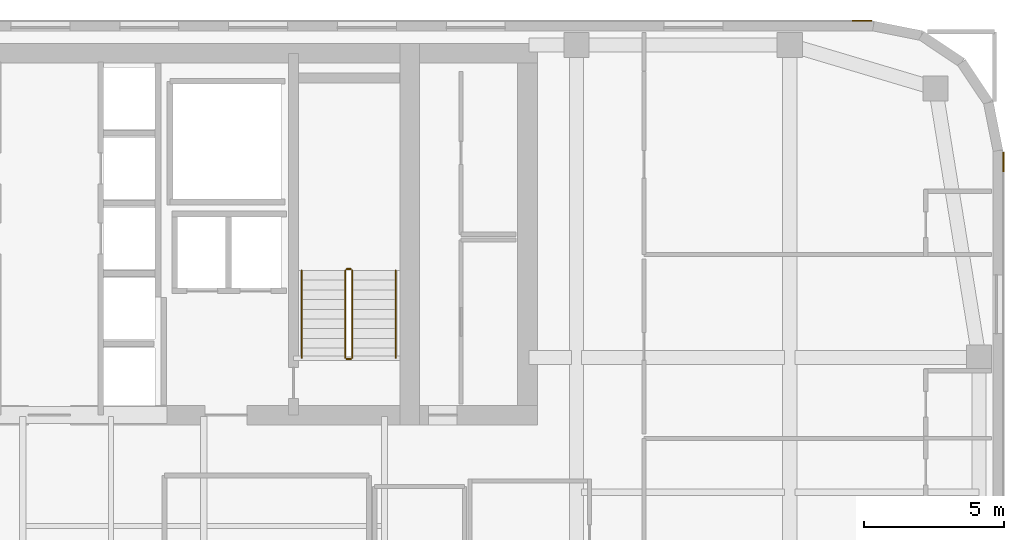
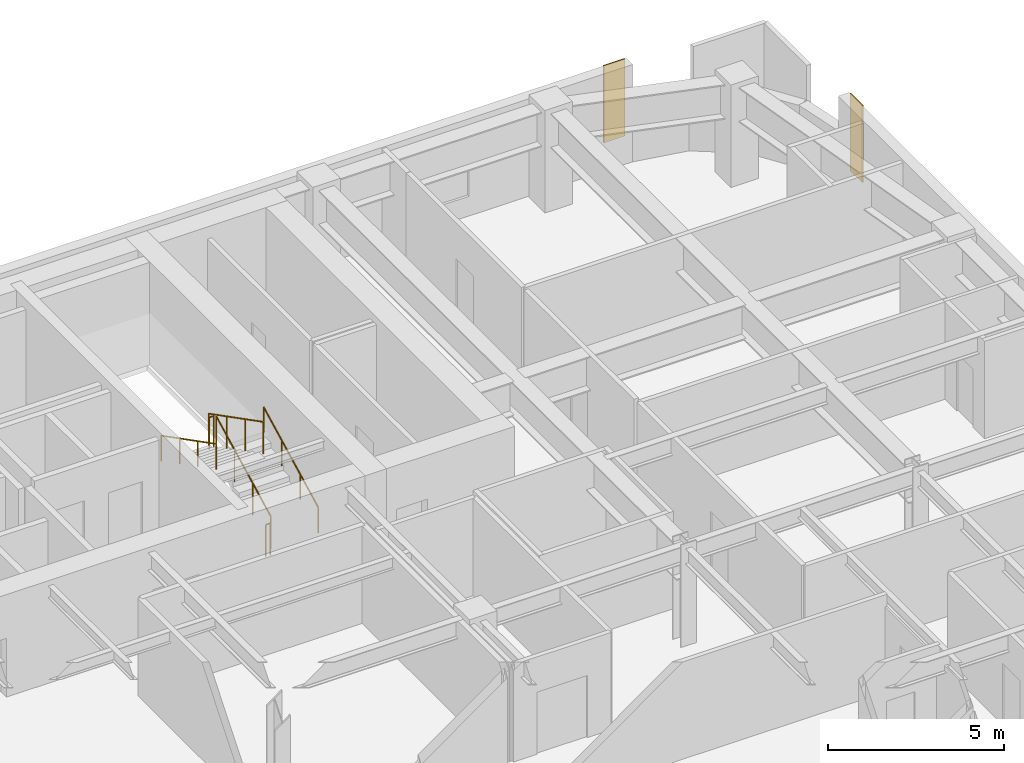
# One storey, part 24 of 24: 6 railings, 2 coverings.
"""IFC4 building model written with IfcOpenShell, lengths in metres."""

from ifc_helpers import new_model, si_unit, direction, frame, origin, origin_2d, place, context, subcontext, project, spatial, polyline, circle, outline, extrude, material, layer, layer_set, type_object, element, save


model = new_model("IFC4")

# Units and contexts
model_context = context("Model", 3, precision=1e-05, world=origin(), true_north=direction((0.0, 1.0)))
body_context = subcontext(model_context, "Body", "Model", "MODEL_VIEW")
ifc_project = project(units=[si_unit("LENGTHUNIT", "METRE"), si_unit("AREAUNIT", "SQUARE_METRE"), si_unit("VOLUMEUNIT", "CUBIC_METRE"), si_unit("PLANEANGLEUNIT", "RADIAN"), si_unit("MASSUNIT", "GRAM", prefix="KILO")], contexts=[model_context])

# Site, building, storey
site_placement = place(None, origin())
site = spatial("IfcSite", under=ifc_project, at=site_placement, CompositionType="ELEMENT")
building_placement = place(site_placement, origin())
building = spatial("IfcBuilding", under=site, at=building_placement, Name="Tolvann Quenvar Hotel", CompositionType="ELEMENT")
storey_placement = place(building_placement, frame((0.0, 0.0, 118.64990234375)))
storey = spatial("IfcBuildingStorey", under=building, at=storey_placement, Name="L30", CompositionType="ELEMENT", Elevation=118.64990234375)

# Coverings
ifc_material_1 = material(Name="Kiln-fired red architectural face brick cladding", Category="masonry")
ifc_layer = layer(ifc_material_1, 0.0400390625)
ifc_layer_set = layer_set([ifc_layer], Name="Kiln-fired red architectural face brick cladding")
covering_type = type_object("IfcCoveringType", Name="COV_CLAD_BRICK_40", PredefinedType="CLADDING", material=ifc_layer_set)
covering_1_placement = place(storey_placement, frame((0.0, 0.0, 0.7001953125)))
element("IfcCovering", 1, at=covering_1_placement, inside=storey, type_object=covering_type, Name="Brick Pier Cladding (L30-E13-P2)", PredefinedType="CLADDING", context=body_context, shape_type="SweptSolid", body=[
    extrude(outline(polyline([(57.0, 40.6328125), (57.0, 41.332763671875), (57.0400390625, 41.332763671875), (57.0400390625, 40.6328125), (57.0, 40.6328125)])), origin(), (0.0, 0.0, 1.0), 2.669921875),
])
covering_2_placement = place(storey_placement, frame((0.0, 0.0, 0.7001953125)))
element("IfcCovering", 2, at=covering_2_placement, inside=storey, type_object=covering_type, Name="Brick Pier Cladding (L30-E18-P1)", PredefinedType="CLADDING", context=body_context, shape_type="SweptSolid", body=[
    extrude(outline(polyline([(52.332763671875, 46.0), (51.6328125, 46.0), (51.6328125, 46.0400390625), (52.332763671875, 46.0400390625), (52.332763671875, 46.0)])), origin(), (0.0, 0.0, 1.0), 2.669921875),
])

# Railings
ifc_material_2 = material(Name="Brushed 316 stainless steel balustrade and handrail", Category="steel")
railing_type_1 = type_object("IfcRailingType", Name="GUARDRAIL", PredefinedType="GUARDRAIL", material=ifc_material_2)
railing_1_placement = place(storey_placement, frame((33.800048828125, 34.0, 0.177490234375)))
element("IfcRailing", 3, at=railing_1_placement, inside=storey, type_object=railing_type_1, Name="L30 ST-C2 stair guard 1", PredefinedType="GUARDRAIL", context=body_context, shape_type="SweptSolid", body=[
    extrude(circle(Radius=0.02392578125, at=origin_2d()), frame((0.0, 0.0, 1.09619140625), z_axis=(0.0, 0.88919353882, 0.457531256332), x_axis=(-1.0, 0.0, 0.0)), (0.0, 0.0, 1.0), 3.491943359375),
    extrude(circle(Radius=0.02099609375, at=origin_2d()), origin(), (0.0, 0.0, 1.0), 1.072021484375),
    extrude(circle(Radius=0.02099609375, at=origin_2d()), frame((0.0, 1.034912109375, 0.532470703125)), (0.0, 0.0, 1.0), 1.072021484375),
    extrude(circle(Radius=0.02099609375, at=origin_2d()), frame((0.0, 2.070068359375, 1.065185546875)), (0.0, 0.0, 1.0), 1.072021484375),
    extrude(circle(Radius=0.02099609375, at=origin_2d()), frame((0.0, 3.10498046875, 1.59765625)), (0.0, 0.0, 1.0), 1.072021484375),
])
railing_2_placement = place(storey_placement, frame((33.75, 37.155029296875, 1.775146484375)))
element("IfcRailing", 4, at=railing_2_placement, inside=storey, type_object=railing_type_1, Name="L30 ST-C2 stair guard 2", PredefinedType="GUARDRAIL", context=body_context, shape_type="SweptSolid", body=[
    extrude(circle(Radius=0.02392578125, at=origin_2d()), frame((0.0, 0.0, 1.09619140625), z_axis=(-1.0, 0.0, 0.0), x_axis=(0.0, -1.0, 0.0)), (0.0, 0.0, 1.0), 0.14990234375),
    extrude(circle(Radius=0.02099609375, at=origin_2d()), origin(), (0.0, 0.0, 1.0), 1.072021484375),
    extrude(circle(Radius=0.02099609375, at=origin_2d()), frame((-0.14990234375, 0.0, 0.0)), (0.0, 0.0, 1.0), 1.072021484375),
])
railing_3_placement = place(storey_placement, frame((33.550048828125, 37.10498046875, 1.95263671875)))
element("IfcRailing", 5, at=railing_3_placement, inside=storey, type_object=railing_type_1, Name="L30 ST-C2 stair guard 3", PredefinedType="GUARDRAIL", context=body_context, shape_type="SweptSolid", body=[
    extrude(circle(Radius=0.02392578125, at=origin_2d()), frame((0.0, 0.0, 1.09619140625), z_axis=(0.0, -0.889221982265, 0.45747597342), x_axis=(1.0, 0.0, 0.0)), (0.0, 0.0, 1.0), 3.49169921875),
    extrude(circle(Radius=0.02099609375, at=origin_2d()), origin(), (0.0, 0.0, 1.0), 1.072021484375),
    extrude(circle(Radius=0.02099609375, at=origin_2d()), frame((0.0, -1.034912109375, 0.532470703125)), (0.0, 0.0, 1.0), 1.072021484375),
    extrude(circle(Radius=0.02099609375, at=origin_2d()), frame((0.0, -2.070068359375, 1.06494140625)), (0.0, 0.0, 1.0), 1.072021484375),
    extrude(circle(Radius=0.02099609375, at=origin_2d()), frame((0.0, -3.10498046875, 1.597412109375)), (0.0, 0.0, 1.0), 1.072021484375),
])
railing_4_placement = place(storey_placement, frame((33.75, 33.949951171875, 0.0)))
element("IfcRailing", 6, at=railing_4_placement, inside=storey, type_object=railing_type_1, Name="L30 ST-C2 stair guard 4", PredefinedType="GUARDRAIL", context=body_context, shape_type="SweptSolid", body=[
    extrude(circle(Radius=0.02392578125, at=origin_2d()), frame((0.0, 0.0, 1.09619140625), z_axis=(-1.0, 0.0, 0.0), x_axis=(0.0, -1.0, 0.0)), (0.0, 0.0, 1.0), 0.14990234375),
    extrude(circle(Radius=0.02099609375, at=origin_2d()), origin(), (0.0, 0.0, 1.0), 1.072021484375),
    extrude(circle(Radius=0.02099609375, at=origin_2d()), frame((-0.14990234375, 0.0, 0.0)), (0.0, 0.0, 1.0), 1.072021484375),
])
railing_type_2 = type_object("IfcRailingType", Name="HANDRAIL", PredefinedType="HANDRAIL", material=ifc_material_2)
railing_5_placement = place(storey_placement, frame((35.35009765625, 34.0, 0.177490234375)))
element("IfcRailing", 7, at=railing_5_placement, inside=storey, type_object=railing_type_2, Name="L30 ST-C2 stair handrail 1", PredefinedType="HANDRAIL", context=body_context, shape_type="SweptSolid", body=[
    extrude(circle(Radius=0.02392578125, at=origin_2d()), frame((0.0, 0.0, 0.8759765625), z_axis=(0.0, 0.88919353882, 0.457531256332), x_axis=(-1.0, 0.0, 0.0)), (0.0, 0.0, 1.0), 3.491943359375),
    extrude(circle(Radius=0.02099609375, at=origin_2d()), origin(), (0.0, 0.0, 1.0), 0.851806640625),
    extrude(circle(Radius=0.02099609375, at=origin_2d()), frame((0.0, 1.034912109375, 0.532470703125)), (0.0, 0.0, 1.0), 0.851806640625),
    extrude(circle(Radius=0.02099609375, at=origin_2d()), frame((0.0, 2.070068359375, 1.065185546875)), (0.0, 0.0, 1.0), 0.851806640625),
    extrude(circle(Radius=0.02099609375, at=origin_2d()), frame((0.0, 3.10498046875, 1.59765625)), (0.0, 0.0, 1.0), 0.851806640625),
])
railing_6_placement = place(storey_placement, frame((32.0, 37.10498046875, 1.95263671875)))
element("IfcRailing", 8, at=railing_6_placement, inside=storey, type_object=railing_type_2, Name="L30 ST-C2 stair handrail 2", PredefinedType="HANDRAIL", context=body_context, shape_type="SweptSolid", body=[
    extrude(circle(Radius=0.02392578125, at=origin_2d()), frame((0.0, 0.0, 0.8759765625), z_axis=(0.0, -0.889221982265, 0.45747597342), x_axis=(1.0, 0.0, 0.0)), (0.0, 0.0, 1.0), 3.49169921875),
    extrude(circle(Radius=0.02099609375, at=origin_2d()), origin(), (0.0, 0.0, 1.0), 0.851806640625),
    extrude(circle(Radius=0.02099609375, at=origin_2d()), frame((0.0, -1.034912109375, 0.532470703125)), (0.0, 0.0, 1.0), 0.851806640625),
    extrude(circle(Radius=0.02099609375, at=origin_2d()), frame((0.0, -2.070068359375, 1.06494140625)), (0.0, 0.0, 1.0), 0.851806640625),
    extrude(circle(Radius=0.02099609375, at=origin_2d()), frame((0.0, -3.10498046875, 1.597412109375)), (0.0, 0.0, 1.0), 0.851806640625),
])

save(model, "model.ifc")
